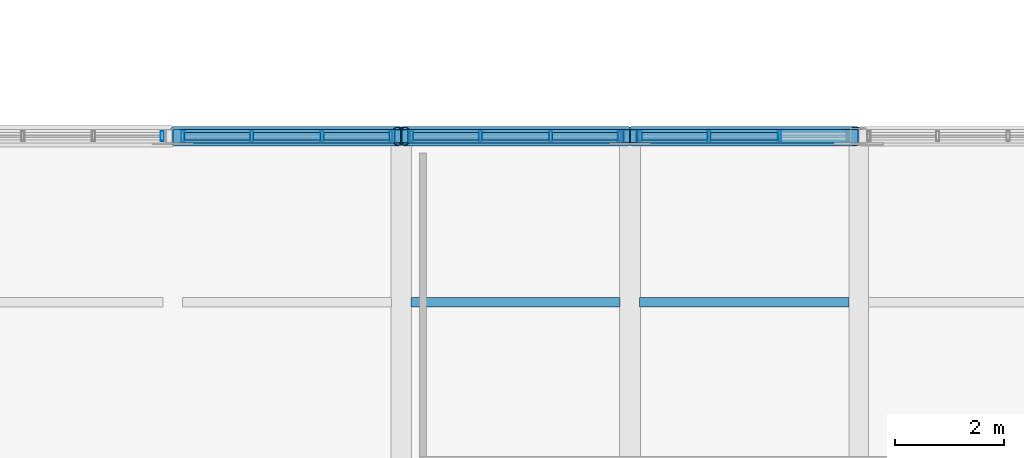
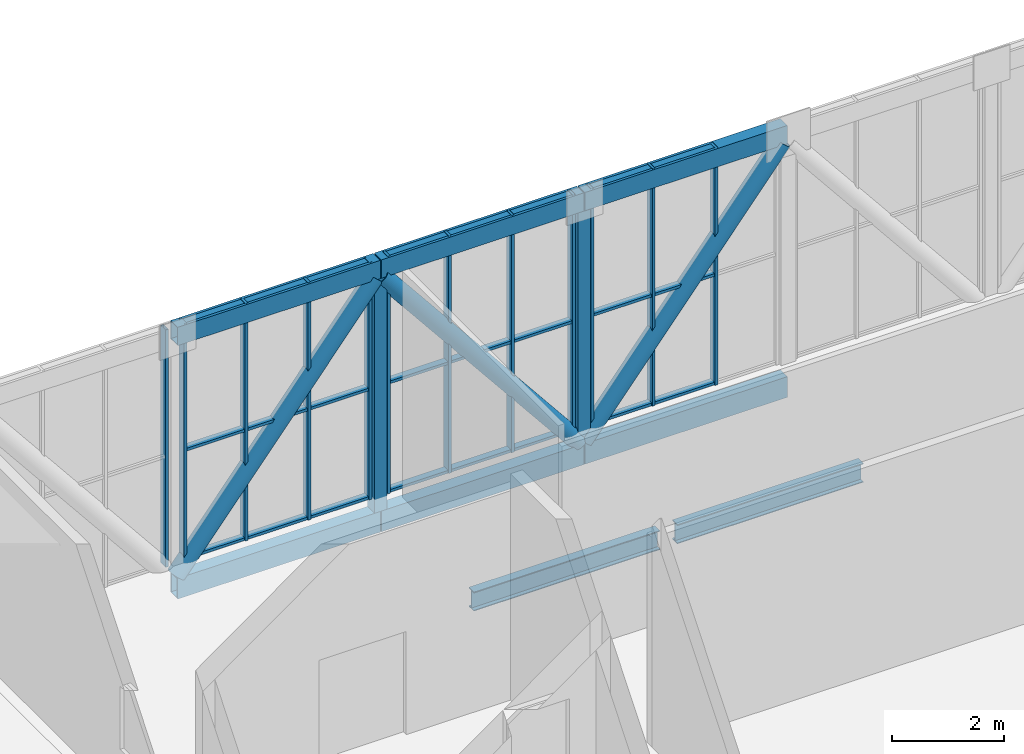
# One storey, part 15 of 58: 47 members, 2 beams, 4 elements without a shape of their own.
"""IFC4 building model written with IfcOpenShell, lengths in metres."""

from ifc_helpers import new_model, si_unit, direction, frame, origin, origin_2d, place, context, subcontext, project, spatial, hollow_rectangle, hollow_circle, i_section, extrude, material, material_profile, profile_set, type_object, element, aggregate, save


model = new_model("IFC4")

# Units and contexts
model_context = context("Model", 3, precision=1e-05, world=origin(), true_north=direction((0.0, 1.0)))
body_context = subcontext(model_context, "Body", "Model", "MODEL_VIEW")
ifc_project = project(units=[si_unit("LENGTHUNIT", "METRE"), si_unit("AREAUNIT", "SQUARE_METRE"), si_unit("VOLUMEUNIT", "CUBIC_METRE"), si_unit("PLANEANGLEUNIT", "RADIAN"), si_unit("MASSUNIT", "GRAM", prefix="KILO")], contexts=[model_context])

# Site, building, storey
site_placement = place(None, origin())
site = spatial("IfcSite", under=ifc_project, at=site_placement, CompositionType="ELEMENT")
building_placement = place(site_placement, origin())
building = spatial("IfcBuilding", under=site, at=building_placement, Name="Khurvash Pelagic Aquarium", CompositionType="ELEMENT")
storey_placement = place(building_placement, frame((0.0, 0.0, 24.60009765625)))
storey = spatial("IfcBuildingStorey", under=building, at=storey_placement, Name="L05", CompositionType="ELEMENT", Elevation=24.60009765625)

# Curtain wall, member
ifc_material_1 = material(Name="Anodised aluminium and low-E laminated glass", Category="aluminium")
curtain_wall_type = type_object("IfcCurtainWallType", Name="CW-01", PredefinedType="USERDEFINED", material=ifc_material_1)
curtain_wall_1_placement = place(storey_placement, origin())
curtain_wall_1 = element("IfcCurtainWall", 1, at=curtain_wall_1_placement, inside=storey, type_object=curtain_wall_type, Name="L05 North Sky-Bar Unitised Curtain Wall CW-01 P04", ObjectType="UNITISED CURTAIN WALL", PredefinedType="USERDEFINED")
ifc_material_2 = material(Name="Extruded aluminium AW-6063-T6", Category="aluminium")
ifc_material_profile_1 = material_profile(ifc_material_2, hollow_rectangle(XDim=0.06005859375, YDim=0.179931640625, WallThickness=0.00390625, at=origin_2d()), Name="CWM60X180X4")
ifc_profile_set_1 = profile_set([ifc_material_profile_1], Name="Extruded aluminium AW-6063-T6")
member_type_1 = type_object("IfcMemberType", Name="CM-01", PredefinedType="MULLION", material=ifc_profile_set_1)
member_1_placement = place(storey_placement, frame((29.2099609375, 29.75, 0.0), z_axis=(0.0, 0.0, 1.0), x_axis=(1.0, 0.0, 0.0)))
member_1 = element("IfcMember", 2, at=member_1_placement, type_object=member_type_1, Name="CW-01 mullion 4", PredefinedType="MULLION", context=body_context, shape_type="SweptSolid", body=[
    extrude(hollow_rectangle(XDim=0.06005859375, YDim=0.179931640625, WallThickness=0.00390625, at=origin_2d()), origin(), (0.0, 0.0, 1.0), 5.179931640625),
])
aggregate(curtain_wall_1, [member_1])

# Curtain wall, members
curtain_wall_2_placement = place(storey_placement, origin())
curtain_wall_2 = element("IfcCurtainWall", 3, at=curtain_wall_2_placement, inside=storey, type_object=curtain_wall_type, Name="L05 North Sky-Bar Unitised Curtain Wall CW-01 P05", ObjectType="UNITISED CURTAIN WALL", PredefinedType="USERDEFINED")
member_2_placement = place(storey_placement, frame((29.590087890625, 29.75, 0.0), z_axis=(0.0, 0.0, 1.0), x_axis=(1.0, 0.0, 0.0)))
member_2 = element("IfcMember", 4, at=member_2_placement, type_object=member_type_1, Name="CW-01 mullion 1", PredefinedType="MULLION", context=body_context, shape_type="SweptSolid", body=[
    extrude(hollow_rectangle(XDim=0.06005859375, YDim=0.179931640625, WallThickness=0.00390625, at=origin_2d()), origin(), (0.0, 0.0, 1.0), 5.179931640625),
])
member_3_placement = place(storey_placement, frame((30.853271484375, 29.75, 0.0), z_axis=(0.0, 0.0, 1.0), x_axis=(1.0, 0.0, 0.0)))
member_3 = element("IfcMember", 5, at=member_3_placement, type_object=member_type_1, Name="CW-01 mullion 2", PredefinedType="MULLION", context=body_context, shape_type="SweptSolid", body=[
    extrude(hollow_rectangle(XDim=0.06005859375, YDim=0.179931640625, WallThickness=0.00390625, at=origin_2d()), origin(), (0.0, 0.0, 1.0), 5.179931640625),
])
member_4_placement = place(storey_placement, frame((32.146728515625, 29.75, 0.0), z_axis=(0.0, 0.0, 1.0), x_axis=(1.0, 0.0, 0.0)))
member_4 = element("IfcMember", 6, at=member_4_placement, type_object=member_type_1, Name="CW-01 mullion 3", PredefinedType="MULLION", context=body_context, shape_type="SweptSolid", body=[
    extrude(hollow_rectangle(XDim=0.06005859375, YDim=0.179931640625, WallThickness=0.00390625, at=origin_2d()), origin(), (0.0, 0.0, 1.0), 5.179931640625),
])
member_5_placement = place(storey_placement, frame((33.409912109375, 29.75, 0.0), z_axis=(0.0, 0.0, 1.0), x_axis=(1.0, 0.0, 0.0)))
member_5 = element("IfcMember", 7, at=member_5_placement, type_object=member_type_1, Name="CW-01 mullion 4", PredefinedType="MULLION", context=body_context, shape_type="SweptSolid", body=[
    extrude(hollow_rectangle(XDim=0.06005859375, YDim=0.179931640625, WallThickness=0.00390625, at=origin_2d()), origin(), (0.0, 0.0, 1.0), 5.179931640625),
])

curtain_wall_3_placement = place(storey_placement, origin())
curtain_wall_3 = element("IfcCurtainWall", 8, at=curtain_wall_3_placement, inside=storey, type_object=curtain_wall_type, Name="L05 North Sky-Bar Unitised Curtain Wall CW-01 P06", ObjectType="UNITISED CURTAIN WALL", PredefinedType="USERDEFINED")
member_6_placement = place(storey_placement, frame((33.7900390625, 29.75, 0.0), z_axis=(0.0, 0.0, 1.0), x_axis=(1.0, 0.0, 0.0)))
member_6 = element("IfcMember", 9, at=member_6_placement, type_object=member_type_1, Name="CW-01 mullion 1", PredefinedType="MULLION", context=body_context, shape_type="SweptSolid", body=[
    extrude(hollow_rectangle(XDim=0.06005859375, YDim=0.179931640625, WallThickness=0.00390625, at=origin_2d()), origin(), (0.0, 0.0, 1.0), 5.179931640625),
])
member_7_placement = place(storey_placement, frame((35.05322265625, 29.75, 0.0), z_axis=(0.0, 0.0, 1.0), x_axis=(1.0, 0.0, 0.0)))
member_7 = element("IfcMember", 10, at=member_7_placement, type_object=member_type_1, Name="CW-01 mullion 2", PredefinedType="MULLION", context=body_context, shape_type="SweptSolid", body=[
    extrude(hollow_rectangle(XDim=0.06005859375, YDim=0.179931640625, WallThickness=0.00390625, at=origin_2d()), origin(), (0.0, 0.0, 1.0), 5.179931640625),
])
member_8_placement = place(storey_placement, frame((36.3466796875, 29.75, 0.0), z_axis=(0.0, 0.0, 1.0), x_axis=(1.0, 0.0, 0.0)))
member_8 = element("IfcMember", 11, at=member_8_placement, type_object=member_type_1, Name="CW-01 mullion 3", PredefinedType="MULLION", context=body_context, shape_type="SweptSolid", body=[
    extrude(hollow_rectangle(XDim=0.06005859375, YDim=0.179931640625, WallThickness=0.00390625, at=origin_2d()), origin(), (0.0, 0.0, 1.0), 5.179931640625),
])
member_9_placement = place(storey_placement, frame((37.610107421875, 29.75, 0.0), z_axis=(0.0, 0.0, 1.0), x_axis=(1.0, 0.0, 0.0)))
member_9 = element("IfcMember", 12, at=member_9_placement, type_object=member_type_1, Name="CW-01 mullion 4", PredefinedType="MULLION", context=body_context, shape_type="SweptSolid", body=[
    extrude(hollow_rectangle(XDim=0.06005859375, YDim=0.179931640625, WallThickness=0.00390625, at=origin_2d()), origin(), (0.0, 0.0, 1.0), 5.179931640625),
])

curtain_wall_4_placement = place(storey_placement, origin())
curtain_wall_4 = element("IfcCurtainWall", 13, at=curtain_wall_4_placement, inside=storey, type_object=curtain_wall_type, Name="L05 North Sky-Bar Unitised Curtain Wall CW-01 P07", ObjectType="UNITISED CURTAIN WALL", PredefinedType="USERDEFINED")
member_10_placement = place(storey_placement, frame((37.989990234375, 29.75, 0.0), z_axis=(0.0, 0.0, 1.0), x_axis=(1.0, 0.0, 0.0)))
member_10 = element("IfcMember", 14, at=member_10_placement, type_object=member_type_1, Name="CW-01 mullion 1", PredefinedType="MULLION", context=body_context, shape_type="SweptSolid", body=[
    extrude(hollow_rectangle(XDim=0.06005859375, YDim=0.179931640625, WallThickness=0.00390625, at=origin_2d()), origin(), (0.0, 0.0, 1.0), 5.179931640625),
])
member_11_placement = place(storey_placement, frame((39.25341796875, 29.75, 0.0), z_axis=(0.0, 0.0, 1.0), x_axis=(1.0, 0.0, 0.0)))
member_11 = element("IfcMember", 15, at=member_11_placement, type_object=member_type_1, Name="CW-01 mullion 2", PredefinedType="MULLION", context=body_context, shape_type="SweptSolid", body=[
    extrude(hollow_rectangle(XDim=0.06005859375, YDim=0.179931640625, WallThickness=0.00390625, at=origin_2d()), origin(), (0.0, 0.0, 1.0), 5.179931640625),
])
member_12_placement = place(storey_placement, frame((40.546630859375, 29.75, 0.0), z_axis=(0.0, 0.0, 1.0), x_axis=(1.0, 0.0, 0.0)))
member_12 = element("IfcMember", 16, at=member_12_placement, type_object=member_type_1, Name="CW-01 mullion 3", PredefinedType="MULLION", context=body_context, shape_type="SweptSolid", body=[
    extrude(hollow_rectangle(XDim=0.06005859375, YDim=0.179931640625, WallThickness=0.00390625, at=origin_2d()), origin(), (0.0, 0.0, 1.0), 5.179931640625),
])

# Member
ifc_material_profile_2 = material_profile(ifc_material_2, hollow_rectangle(XDim=0.139892578125, YDim=0.06005859375, WallThickness=0.00390625, at=origin_2d()), Name="CWT140X60X4")
ifc_profile_set_2 = profile_set([ifc_material_profile_2], Name="Extruded aluminium AW-6063-T6")
member_type_2 = type_object("IfcMemberType", Name="CT-01", PredefinedType="USERDEFINED", material=ifc_profile_set_2)
member_13_placement = place(storey_placement, frame((29.6201171875, 29.75, 0.02978515625), z_axis=(1.0, 0.0, 0.0), x_axis=(0.0, 1.0, 0.0)))
member_13 = element("IfcMember", 17, at=member_13_placement, type_object=member_type_2, Name="CW-01 transom 1.1", ObjectType="TRANSOM", PredefinedType="USERDEFINED", context=body_context, shape_type="SweptSolid", body=[
    extrude(hollow_rectangle(XDim=0.139892578125, YDim=0.06005859375, WallThickness=0.00390625, at=origin_2d()), origin(), (0.0, 0.0, 1.0), 1.203125),
])

member_14_placement = place(storey_placement, frame((29.6201171875, 29.75, 2.39990234375), z_axis=(1.0, 0.0, 0.0), x_axis=(0.0, 1.0, 0.0)))
member_14 = element("IfcMember", 18, at=member_14_placement, type_object=member_type_2, Name="CW-01 transom 1.2", ObjectType="TRANSOM", PredefinedType="USERDEFINED", context=body_context, shape_type="SweptSolid", body=[
    extrude(hollow_rectangle(XDim=0.139892578125, YDim=0.06005859375, WallThickness=0.00390625, at=origin_2d()), origin(), (0.0, 0.0, 1.0), 1.203125),
])

member_15_placement = place(storey_placement, frame((29.6201171875, 29.75, 5.14990234375), z_axis=(1.0, 0.0, 0.0), x_axis=(0.0, 1.0, 0.0)))
member_15 = element("IfcMember", 19, at=member_15_placement, type_object=member_type_2, Name="CW-01 transom 1.3", ObjectType="TRANSOM", PredefinedType="USERDEFINED", context=body_context, shape_type="SweptSolid", body=[
    extrude(hollow_rectangle(XDim=0.139892578125, YDim=0.06005859375, WallThickness=0.00390625, at=origin_2d()), origin(), (0.0, 0.0, 1.0), 1.203125),
])

member_16_placement = place(storey_placement, frame((30.88330078125, 29.75, 0.02978515625), z_axis=(1.0, 0.0, 0.0), x_axis=(0.0, 1.0, 0.0)))
member_16 = element("IfcMember", 20, at=member_16_placement, type_object=member_type_2, Name="CW-01 transom 2.1", ObjectType="TRANSOM", PredefinedType="USERDEFINED", context=body_context, shape_type="SweptSolid", body=[
    extrude(hollow_rectangle(XDim=0.139892578125, YDim=0.06005859375, WallThickness=0.00390625, at=origin_2d()), origin(), (0.0, 0.0, 1.0), 1.2333984375),
])

member_17_placement = place(storey_placement, frame((30.88330078125, 29.75, 2.39990234375), z_axis=(1.0, 0.0, 0.0), x_axis=(0.0, 1.0, 0.0)))
member_17 = element("IfcMember", 21, at=member_17_placement, type_object=member_type_2, Name="CW-01 transom 2.2", ObjectType="TRANSOM", PredefinedType="USERDEFINED", context=body_context, shape_type="SweptSolid", body=[
    extrude(hollow_rectangle(XDim=0.139892578125, YDim=0.06005859375, WallThickness=0.00390625, at=origin_2d()), origin(), (0.0, 0.0, 1.0), 1.2333984375),
])

member_18_placement = place(storey_placement, frame((30.88330078125, 29.75, 5.14990234375), z_axis=(1.0, 0.0, 0.0), x_axis=(0.0, 1.0, 0.0)))
member_18 = element("IfcMember", 22, at=member_18_placement, type_object=member_type_2, Name="CW-01 transom 2.3", ObjectType="TRANSOM", PredefinedType="USERDEFINED", context=body_context, shape_type="SweptSolid", body=[
    extrude(hollow_rectangle(XDim=0.139892578125, YDim=0.06005859375, WallThickness=0.00390625, at=origin_2d()), origin(), (0.0, 0.0, 1.0), 1.2333984375),
])

member_19_placement = place(storey_placement, frame((32.1767578125, 29.75, 0.02978515625), z_axis=(1.0, 0.0, 0.0), x_axis=(0.0, 1.0, 0.0)))
member_19 = element("IfcMember", 23, at=member_19_placement, type_object=member_type_2, Name="CW-01 transom 3.1", ObjectType="TRANSOM", PredefinedType="USERDEFINED", context=body_context, shape_type="SweptSolid", body=[
    extrude(hollow_rectangle(XDim=0.139892578125, YDim=0.06005859375, WallThickness=0.00390625, at=origin_2d()), origin(), (0.0, 0.0, 1.0), 1.203125),
])

member_20_placement = place(storey_placement, frame((32.1767578125, 29.75, 2.39990234375), z_axis=(1.0, 0.0, 0.0), x_axis=(0.0, 1.0, 0.0)))
member_20 = element("IfcMember", 24, at=member_20_placement, type_object=member_type_2, Name="CW-01 transom 3.2", ObjectType="TRANSOM", PredefinedType="USERDEFINED", context=body_context, shape_type="SweptSolid", body=[
    extrude(hollow_rectangle(XDim=0.139892578125, YDim=0.06005859375, WallThickness=0.00390625, at=origin_2d()), origin(), (0.0, 0.0, 1.0), 1.203125),
])

member_21_placement = place(storey_placement, frame((32.1767578125, 29.75, 5.14990234375), z_axis=(1.0, 0.0, 0.0), x_axis=(0.0, 1.0, 0.0)))
member_21 = element("IfcMember", 25, at=member_21_placement, type_object=member_type_2, Name="CW-01 transom 3.3", ObjectType="TRANSOM", PredefinedType="USERDEFINED", context=body_context, shape_type="SweptSolid", body=[
    extrude(hollow_rectangle(XDim=0.139892578125, YDim=0.06005859375, WallThickness=0.00390625, at=origin_2d()), origin(), (0.0, 0.0, 1.0), 1.203125),
])

aggregate(curtain_wall_2, [member_2, member_3, member_4, member_5, member_13, member_14, member_15, member_16, member_17, member_18, member_19, member_20, member_21])

member_22_placement = place(storey_placement, frame((33.820068359375, 29.75, 0.02978515625), z_axis=(1.0, 0.0, 0.0), x_axis=(0.0, 1.0, 0.0)))
member_22 = element("IfcMember", 26, at=member_22_placement, type_object=member_type_2, Name="CW-01 transom 1.1", ObjectType="TRANSOM", PredefinedType="USERDEFINED", context=body_context, shape_type="SweptSolid", body=[
    extrude(hollow_rectangle(XDim=0.139892578125, YDim=0.06005859375, WallThickness=0.00390625, at=origin_2d()), origin(), (0.0, 0.0, 1.0), 1.203369140625),
])

member_23_placement = place(storey_placement, frame((33.820068359375, 29.75, 2.39990234375), z_axis=(1.0, 0.0, 0.0), x_axis=(0.0, 1.0, 0.0)))
member_23 = element("IfcMember", 27, at=member_23_placement, type_object=member_type_2, Name="CW-01 transom 1.2", ObjectType="TRANSOM", PredefinedType="USERDEFINED", context=body_context, shape_type="SweptSolid", body=[
    extrude(hollow_rectangle(XDim=0.139892578125, YDim=0.06005859375, WallThickness=0.00390625, at=origin_2d()), origin(), (0.0, 0.0, 1.0), 1.203369140625),
])

member_24_placement = place(storey_placement, frame((33.820068359375, 29.75, 5.14990234375), z_axis=(1.0, 0.0, 0.0), x_axis=(0.0, 1.0, 0.0)))
member_24 = element("IfcMember", 28, at=member_24_placement, type_object=member_type_2, Name="CW-01 transom 1.3", ObjectType="TRANSOM", PredefinedType="USERDEFINED", context=body_context, shape_type="SweptSolid", body=[
    extrude(hollow_rectangle(XDim=0.139892578125, YDim=0.06005859375, WallThickness=0.00390625, at=origin_2d()), origin(), (0.0, 0.0, 1.0), 1.203369140625),
])

member_25_placement = place(storey_placement, frame((35.083251953125, 29.75, 0.02978515625), z_axis=(1.0, 0.0, 0.0), x_axis=(0.0, 1.0, 0.0)))
member_25 = element("IfcMember", 29, at=member_25_placement, type_object=member_type_2, Name="CW-01 transom 2.1", ObjectType="TRANSOM", PredefinedType="USERDEFINED", context=body_context, shape_type="SweptSolid", body=[
    extrude(hollow_rectangle(XDim=0.139892578125, YDim=0.06005859375, WallThickness=0.00390625, at=origin_2d()), origin(), (0.0, 0.0, 1.0), 1.2333984375),
])

member_26_placement = place(storey_placement, frame((35.083251953125, 29.75, 2.39990234375), z_axis=(1.0, 0.0, 0.0), x_axis=(0.0, 1.0, 0.0)))
member_26 = element("IfcMember", 30, at=member_26_placement, type_object=member_type_2, Name="CW-01 transom 2.2", ObjectType="TRANSOM", PredefinedType="USERDEFINED", context=body_context, shape_type="SweptSolid", body=[
    extrude(hollow_rectangle(XDim=0.139892578125, YDim=0.06005859375, WallThickness=0.00390625, at=origin_2d()), origin(), (0.0, 0.0, 1.0), 1.2333984375),
])

member_27_placement = place(storey_placement, frame((35.083251953125, 29.75, 5.14990234375), z_axis=(1.0, 0.0, 0.0), x_axis=(0.0, 1.0, 0.0)))
member_27 = element("IfcMember", 31, at=member_27_placement, type_object=member_type_2, Name="CW-01 transom 2.3", ObjectType="TRANSOM", PredefinedType="USERDEFINED", context=body_context, shape_type="SweptSolid", body=[
    extrude(hollow_rectangle(XDim=0.139892578125, YDim=0.06005859375, WallThickness=0.00390625, at=origin_2d()), origin(), (0.0, 0.0, 1.0), 1.2333984375),
])

member_28_placement = place(storey_placement, frame((36.376708984375, 29.75, 0.02978515625), z_axis=(1.0, 0.0, 0.0), x_axis=(0.0, 1.0, 0.0)))
member_28 = element("IfcMember", 32, at=member_28_placement, type_object=member_type_2, Name="CW-01 transom 3.1", ObjectType="TRANSOM", PredefinedType="USERDEFINED", context=body_context, shape_type="SweptSolid", body=[
    extrude(hollow_rectangle(XDim=0.139892578125, YDim=0.06005859375, WallThickness=0.00390625, at=origin_2d()), origin(), (0.0, 0.0, 1.0), 1.203369140625),
])

member_29_placement = place(storey_placement, frame((36.376708984375, 29.75, 2.39990234375), z_axis=(1.0, 0.0, 0.0), x_axis=(0.0, 1.0, 0.0)))
member_29 = element("IfcMember", 33, at=member_29_placement, type_object=member_type_2, Name="CW-01 transom 3.2", ObjectType="TRANSOM", PredefinedType="USERDEFINED", context=body_context, shape_type="SweptSolid", body=[
    extrude(hollow_rectangle(XDim=0.139892578125, YDim=0.06005859375, WallThickness=0.00390625, at=origin_2d()), origin(), (0.0, 0.0, 1.0), 1.203369140625),
])

member_30_placement = place(storey_placement, frame((36.376708984375, 29.75, 5.14990234375), z_axis=(1.0, 0.0, 0.0), x_axis=(0.0, 1.0, 0.0)))
member_30 = element("IfcMember", 34, at=member_30_placement, type_object=member_type_2, Name="CW-01 transom 3.3", ObjectType="TRANSOM", PredefinedType="USERDEFINED", context=body_context, shape_type="SweptSolid", body=[
    extrude(hollow_rectangle(XDim=0.139892578125, YDim=0.06005859375, WallThickness=0.00390625, at=origin_2d()), origin(), (0.0, 0.0, 1.0), 1.203369140625),
])

aggregate(curtain_wall_3, [member_6, member_7, member_8, member_9, member_22, member_23, member_24, member_25, member_26, member_27, member_28, member_29, member_30])

member_31_placement = place(storey_placement, frame((38.02001953125, 29.75, 0.02978515625), z_axis=(1.0, 0.0, 0.0), x_axis=(0.0, 1.0, 0.0)))
member_31 = element("IfcMember", 35, at=member_31_placement, type_object=member_type_2, Name="CW-01 transom 1.1", ObjectType="TRANSOM", PredefinedType="USERDEFINED", context=body_context, shape_type="SweptSolid", body=[
    extrude(hollow_rectangle(XDim=0.139892578125, YDim=0.06005859375, WallThickness=0.00390625, at=origin_2d()), origin(), (0.0, 0.0, 1.0), 1.203369140625),
])

member_32_placement = place(storey_placement, frame((38.02001953125, 29.75, 2.39990234375), z_axis=(1.0, 0.0, 0.0), x_axis=(0.0, 1.0, 0.0)))
member_32 = element("IfcMember", 36, at=member_32_placement, type_object=member_type_2, Name="CW-01 transom 1.2", ObjectType="TRANSOM", PredefinedType="USERDEFINED", context=body_context, shape_type="SweptSolid", body=[
    extrude(hollow_rectangle(XDim=0.139892578125, YDim=0.06005859375, WallThickness=0.00390625, at=origin_2d()), origin(), (0.0, 0.0, 1.0), 1.203369140625),
])

member_33_placement = place(storey_placement, frame((38.02001953125, 29.75, 5.14990234375), z_axis=(1.0, 0.0, 0.0), x_axis=(0.0, 1.0, 0.0)))
member_33 = element("IfcMember", 37, at=member_33_placement, type_object=member_type_2, Name="CW-01 transom 1.3", ObjectType="TRANSOM", PredefinedType="USERDEFINED", context=body_context, shape_type="SweptSolid", body=[
    extrude(hollow_rectangle(XDim=0.139892578125, YDim=0.06005859375, WallThickness=0.00390625, at=origin_2d()), origin(), (0.0, 0.0, 1.0), 1.203369140625),
])

member_34_placement = place(storey_placement, frame((39.283447265625, 29.75, 0.02978515625), z_axis=(1.0, 0.0, 0.0), x_axis=(0.0, 1.0, 0.0)))
member_34 = element("IfcMember", 38, at=member_34_placement, type_object=member_type_2, Name="CW-01 transom 2.1", ObjectType="TRANSOM", PredefinedType="USERDEFINED", context=body_context, shape_type="SweptSolid", body=[
    extrude(hollow_rectangle(XDim=0.139892578125, YDim=0.06005859375, WallThickness=0.00390625, at=origin_2d()), origin(), (0.0, 0.0, 1.0), 1.233154296875),
])

member_35_placement = place(storey_placement, frame((39.283447265625, 29.75, 2.39990234375), z_axis=(1.0, 0.0, 0.0), x_axis=(0.0, 1.0, 0.0)))
member_35 = element("IfcMember", 39, at=member_35_placement, type_object=member_type_2, Name="CW-01 transom 2.2", ObjectType="TRANSOM", PredefinedType="USERDEFINED", context=body_context, shape_type="SweptSolid", body=[
    extrude(hollow_rectangle(XDim=0.139892578125, YDim=0.06005859375, WallThickness=0.00390625, at=origin_2d()), origin(), (0.0, 0.0, 1.0), 1.233154296875),
])

member_36_placement = place(storey_placement, frame((39.283447265625, 29.75, 5.14990234375), z_axis=(1.0, 0.0, 0.0), x_axis=(0.0, 1.0, 0.0)))
member_36 = element("IfcMember", 40, at=member_36_placement, type_object=member_type_2, Name="CW-01 transom 2.3", ObjectType="TRANSOM", PredefinedType="USERDEFINED", context=body_context, shape_type="SweptSolid", body=[
    extrude(hollow_rectangle(XDim=0.139892578125, YDim=0.06005859375, WallThickness=0.00390625, at=origin_2d()), origin(), (0.0, 0.0, 1.0), 1.233154296875),
])

aggregate(curtain_wall_4, [member_10, member_11, member_12, member_31, member_32, member_33, member_34, member_35, member_36])

# Beams
ifc_material_3 = material(Name="Steel ASTM A992 Grade 50", Category="steel")
ifc_material_profile_3 = material_profile(ifc_material_3, i_section(OverallWidth=0.180908203125, OverallDepth=0.4169921875, WebThickness=0.010986328125, FlangeThickness=0.018310546875, at=origin_2d()), Name="W16X57")
ifc_profile_set_3 = profile_set([ifc_material_profile_3], Name="Steel ASTM A992 Grade 50")
beam_type = type_object("IfcBeamType", Name="JS-03", PredefinedType="JOIST", material=ifc_profile_set_3)
for number, where, z_axis, x_axis, name in (
    (41, (33.780029296875, 26.699951171875, -0.508544921875), (1.0, 0.0, 0.0), (0.0, 1.0, 0.0), "L05 Sky-Bar Floor Joist JS-03 P06"),
    (42, (37.97998046875, 26.699951171875, -0.508544921875), (1.0, 0.0, 0.0), (0.0, 1.0, 0.0), "L05 Sky-Bar Floor Joist JS-03 P07"),
):
    element("IfcBeam", number, at=place(storey_placement, frame(where, z_axis=z_axis, x_axis=x_axis)), inside=storey, type_object=beam_type, Name=name, PredefinedType="JOIST", context=body_context, shape_type="SweptSolid", body=[
        extrude(i_section(OverallWidth=0.180908203125, OverallDepth=0.4169921875, WebThickness=0.010986328125, FlangeThickness=0.018310546875, at=origin_2d()), origin(), (0.0, 0.0, 1.0), 3.840087890625),
    ])

# Members
ifc_material_4 = material(Name="Steel S355J2", Category="steel")
ifc_material_profile_4 = material_profile(ifc_material_4, hollow_rectangle(XDim=0.25, YDim=0.449951171875, WallThickness=0.02001953125, at=origin_2d()), Name="RHS450X250X20")
ifc_profile_set_4 = profile_set([ifc_material_profile_4], Name="Steel S355J2")
member_type_3 = type_object("IfcMemberType", Name="TC-01", PredefinedType="CHORD", material=ifc_profile_set_4)
member_37_placement = place(storey_placement, frame((29.409912109375, 29.75, -0.525146484375), z_axis=(1.0, 0.0, 0.0), x_axis=(0.0, 1.0, 0.0)))
element("IfcMember", 43, at=member_37_placement, inside=storey, type_object=member_type_3, Name="L05 North Sky-Bar Warren Truss Bottom Chord TC-01 P05", PredefinedType="CHORD", context=body_context, shape_type="SweptSolid", body=[
    extrude(hollow_rectangle(XDim=0.25, YDim=0.449951171875, WallThickness=0.02001953125, at=origin_2d()), origin(), (0.0, 0.0, 1.0), 4.18017578125),
])
for number, where, z_axis, x_axis, name in (
    (44, (33.610107421875, 29.75, -0.525146484375), (1.0, 0.0, 0.0), (0.0, 1.0, 0.0), "L05 North Sky-Bar Warren Truss Bottom Chord TC-01 P06"),
    (45, (37.81005859375, 29.75, -0.525146484375), (1.0, 0.0, 0.0), (0.0, 1.0, 0.0), "L05 North Sky-Bar Warren Truss Bottom Chord TC-01 P07"),
):
    element("IfcMember", number, at=place(storey_placement, frame(where, z_axis=z_axis, x_axis=x_axis)), inside=storey, type_object=member_type_3, Name=name, PredefinedType="CHORD", context=body_context, shape_type="SweptSolid", body=[
        extrude(hollow_rectangle(XDim=0.25, YDim=0.449951171875, WallThickness=0.02001953125, at=origin_2d()), origin(), (0.0, 0.0, 1.0), 4.179931640625),
    ])
ifc_material_profile_5 = material_profile(ifc_material_4, hollow_rectangle(XDim=0.25, YDim=0.39990234375, WallThickness=0.01611328125, at=origin_2d()), Name="RHS400X250X16")
ifc_profile_set_5 = profile_set([ifc_material_profile_5], Name="Steel S355J2")
member_type_4 = type_object("IfcMemberType", Name="TC-02", PredefinedType="CHORD", material=ifc_profile_set_5)
member_38_placement = place(storey_placement, frame((29.409912109375, 29.75, 4.97998046875), z_axis=(1.0, 0.0, 0.0), x_axis=(0.0, 1.0, 0.0)))
element("IfcMember", 46, at=member_38_placement, inside=storey, type_object=member_type_4, Name="L05 North Sky-Bar Warren Truss Top Chord TC-02 P05", PredefinedType="CHORD", context=body_context, shape_type="SweptSolid", body=[
    extrude(hollow_rectangle(XDim=0.25, YDim=0.39990234375, WallThickness=0.01611328125, at=origin_2d()), origin(), (0.0, 0.0, 1.0), 4.18017578125),
])
for number, where, z_axis, x_axis, name in (
    (47, (33.610107421875, 29.75, 4.97998046875), (1.0, 0.0, 0.0), (0.0, 1.0, 0.0), "L05 North Sky-Bar Warren Truss Top Chord TC-02 P06"),
    (48, (37.81005859375, 29.75, 4.97998046875), (1.0, 0.0, 0.0), (0.0, 1.0, 0.0), "L05 North Sky-Bar Warren Truss Top Chord TC-02 P07"),
):
    element("IfcMember", number, at=place(storey_placement, frame(where, z_axis=z_axis, x_axis=x_axis)), inside=storey, type_object=member_type_4, Name=name, PredefinedType="CHORD", context=body_context, shape_type="SweptSolid", body=[
        extrude(hollow_rectangle(XDim=0.25, YDim=0.39990234375, WallThickness=0.01611328125, at=origin_2d()), origin(), (0.0, 0.0, 1.0), 4.179931640625),
    ])
ifc_material_profile_6 = material_profile(ifc_material_4, hollow_circle(Radius=0.177734375, WallThickness=0.01416015625, at=origin_2d()), Name="CHS355X14")
ifc_profile_set_6 = profile_set([ifc_material_profile_6], Name="Steel S355J2")
member_type_5 = type_object("IfcMemberType", Name="TD-02", PredefinedType="BRACE", material=ifc_profile_set_6)
for number, where, z_axis, x_axis, name in (
    (49, (29.449951171875, 29.75, -0.300048828125), (0.628073304864, 0.0, 0.778154177343), (0.0, 1.0, 0.0), "L05 North Sky-Bar Warren Truss Diagonal TD-02 P05"),
    (50, (33.64990234375, 29.75, 4.77978515625), (0.628073304864, 0.0, -0.778154177343), (0.0, 1.0, 0.0), "L05 North Sky-Bar Warren Truss Diagonal TD-02 P06"),
):
    element("IfcMember", number, at=place(storey_placement, frame(where, z_axis=z_axis, x_axis=x_axis)), inside=storey, type_object=member_type_5, Name=name, PredefinedType="BRACE", context=body_context, shape_type="SweptSolid", body=[
        extrude(hollow_circle(Radius=0.177734375, WallThickness=0.01416015625, at=origin_2d()), origin(), (0.0, 0.0, 1.0), 6.528076171875),
    ])
member_39_placement = place(storey_placement, frame((37.85009765625, 29.75, -0.300048828125), z_axis=(0.628050658275, 0.0, 0.778172455591), x_axis=(0.0, 1.0, 0.0)))
element("IfcMember", 51, at=member_39_placement, inside=storey, type_object=member_type_5, Name="L05 North Sky-Bar Warren Truss Diagonal TD-02 P07", PredefinedType="BRACE", context=body_context, shape_type="SweptSolid", body=[
    extrude(hollow_circle(Radius=0.177734375, WallThickness=0.01416015625, at=origin_2d()), origin(), (0.0, 0.0, 1.0), 6.52783203125),
])
ifc_material_profile_7 = material_profile(ifc_material_4, hollow_rectangle(XDim=0.25, YDim=0.25, WallThickness=0.012451171875, at=origin_2d()), Name="SHS250X250X12")
ifc_profile_set_7 = profile_set([ifc_material_profile_7], Name="Steel S355J2")
member_type_6 = type_object("IfcMemberType", Name="TV-02", PredefinedType="POST", material=ifc_profile_set_7)
for number, where, z_axis, x_axis, name in (
    (52, (33.60009765625, 29.75, -0.300048828125), (0.0, 0.0, 1.0), (1.0, 0.0, 0.0), "L05 North Sky-Bar Truss Post TV-02 N06"),
    (53, (37.800048828125, 29.75, -0.300048828125), (0.0, 0.0, 1.0), (1.0, 0.0, 0.0), "L05 North Sky-Bar Truss Post TV-02 N07"),
):
    element("IfcMember", number, at=place(storey_placement, frame(where, z_axis=z_axis, x_axis=x_axis)), inside=storey, type_object=member_type_6, Name=name, PredefinedType="POST", context=body_context, shape_type="SweptSolid", body=[
        extrude(hollow_rectangle(XDim=0.25, YDim=0.25, WallThickness=0.012451171875, at=origin_2d()), origin(), (0.0, 0.0, 1.0), 5.079833984375),
    ])

save(model, "model.ifc")
